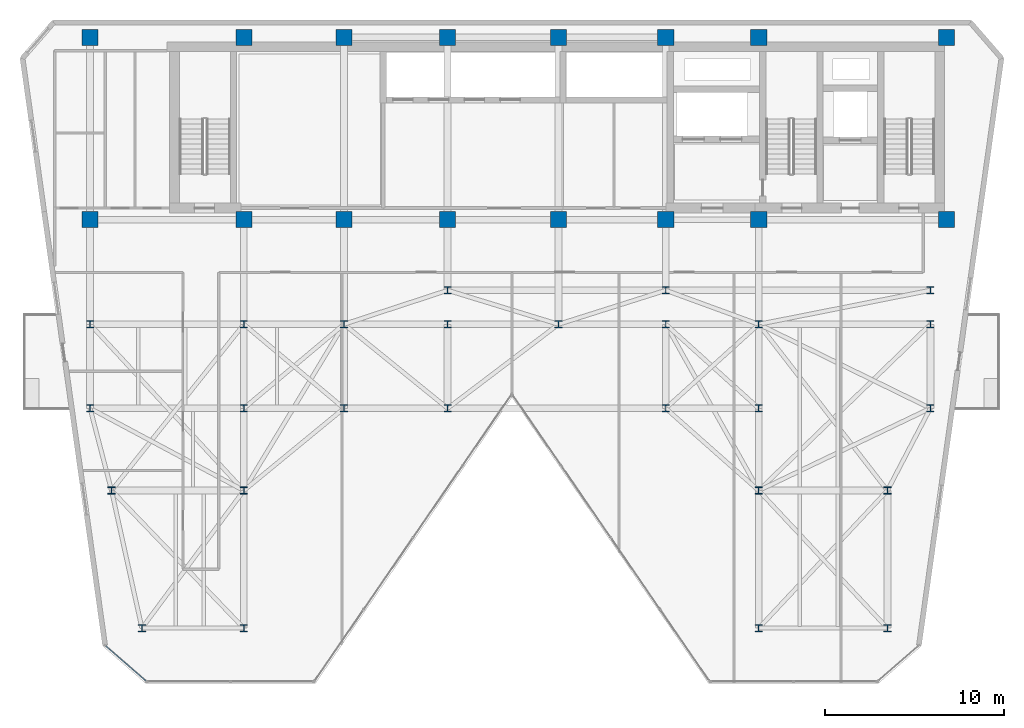
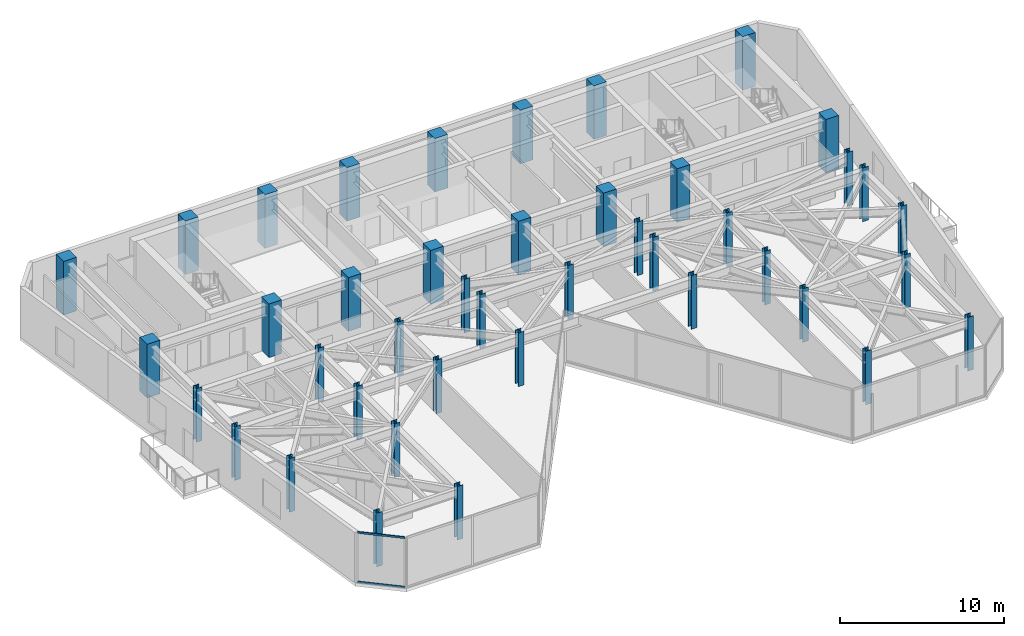
# One storey, part 1 of 21: 42 columns, 2 members, 1 element without a shape of its own.
"""IFC4 building model written with IfcOpenShell, lengths in metres."""

from ifc_helpers import new_model, si_unit, direction, frame, origin, origin_2d, place, context, subcontext, project, spatial, rectangle, hollow_rectangle, i_section, extrude, material, layer, layer_set, material_profile, profile_set, type_object, element, aggregate, save


model = new_model("IFC4")

# Units and contexts
model_context = context("Model", 3, precision=1e-05, world=origin(), true_north=direction((0.0, 1.0)))
body_context = subcontext(model_context, "Body", "Model", "MODEL_VIEW")
ifc_project = project(units=[si_unit("LENGTHUNIT", "METRE"), si_unit("AREAUNIT", "SQUARE_METRE"), si_unit("VOLUMEUNIT", "CUBIC_METRE"), si_unit("PLANEANGLEUNIT", "RADIAN"), si_unit("MASSUNIT", "GRAM", prefix="KILO")], contexts=[model_context])

# Site, building, storey
site_placement = place(None, origin())
site = spatial("IfcSite", under=ifc_project, at=site_placement, CompositionType="ELEMENT")
building_placement = place(site_placement, origin())
building = spatial("IfcBuilding", under=site, at=building_placement, Name="Kravanh Interchange Tower", CompositionType="ELEMENT")
storey_placement = place(building_placement, frame((0.0, 0.0, 216.5)))
storey = spatial("IfcBuildingStorey", under=building, at=storey_placement, Name="L52", CompositionType="ELEMENT", Elevation=216.5)

# Columns
ifc_material_1 = material(Name="Concrete C60/75", Category="concrete")
ifc_material_profile_1 = material_profile(ifc_material_1, rectangle(XDim=0.89990234375, YDim=0.89990234375, at=origin_2d()), Name="RC900X900")
ifc_profile_set_1 = profile_set([ifc_material_profile_1], Name="Concrete C60/75")
column_type_1 = type_object("IfcColumnType", Name="Column RC900X900 Concrete C60/75", PredefinedType="COLUMN", material=ifc_profile_set_1)
for number, where, z_axis, x_axis, name in (
    (1, (66.5, 47.550048828125, 0.0), (0.0, 0.0, 1.0), (1.0, 0.0, 0.0), "L52 Column CS01"),
    (2, (56.0, 47.550048828125, 0.0), (0.0, 0.0, 1.0), (1.0, 0.0, 0.0), "L52 Column CS02"),
    (3, (66.5, 37.35009765625, 0.0), (0.0, 0.0, 1.0), (1.0, 0.0, 0.0), "L52 Column CS03"),
    (4, (56.0, 37.35009765625, 0.0), (0.0, 0.0, 1.0), (1.0, 0.0, 0.0), "L52 Column CS04"),
    (5, (50.800048828125, 47.550048828125, 0.0), (0.0, 0.0, 1.0), (1.0, 0.0, 0.0), "L52 Column CS05"),
    (6, (50.800048828125, 37.35009765625, 0.0), (0.0, 0.0, 1.0), (1.0, 0.0, 0.0), "L52 Column CS06"),
    (7, (44.800048828125, 37.35009765625, 0.0), (0.0, 0.0, 1.0), (1.0, 0.0, 0.0), "L52 Column CS07"),
    (8, (44.800048828125, 47.550048828125, 0.0), (0.0, 0.0, 1.0), (1.0, 0.0, 0.0), "L52 Column CS08"),
    (9, (38.60009765625, 37.35009765625, 0.0), (0.0, 0.0, 1.0), (1.0, 0.0, 0.0), "L52 Column CS09"),
    (10, (38.60009765625, 47.550048828125, 0.0), (0.0, 0.0, 1.0), (1.0, 0.0, 0.0), "L52 Column CS10"),
    (11, (32.800048828125, 37.35009765625, 0.0), (0.0, 0.0, 1.0), (1.0, 0.0, 0.0), "L52 Column CS11"),
    (12, (32.800048828125, 47.550048828125, 0.0), (0.0, 0.0, 1.0), (1.0, 0.0, 0.0), "L52 Column CS12"),
    (13, (27.199951171875, 37.35009765625, 0.0), (0.0, 0.0, 1.0), (1.0, 0.0, 0.0), "L52 Column CS13"),
    (14, (27.199951171875, 47.550048828125, 0.0), (0.0, 0.0, 1.0), (1.0, 0.0, 0.0), "L52 Column CS14"),
    (15, (18.60009765625, 37.35009765625, 0.0), (0.0, 0.0, 1.0), (1.0, 0.0, 0.0), "L52 Column CS17"),
    (16, (18.60009765625, 47.550048828125, 0.0), (0.0, 0.0, 1.0), (1.0, 0.0, 0.0), "L52 Column CS18"),
):
    element("IfcColumn", number, at=place(storey_placement, frame(where, z_axis=z_axis, x_axis=x_axis)), inside=storey, type_object=column_type_1, Name=name, PredefinedType="COLUMN", context=body_context, shape_type="SweptSolid", body=[
        extrude(rectangle(XDim=0.89990234375, YDim=0.89990234375, at=origin_2d()), origin(), (0.0, 0.0, 1.0), 4.0),
    ])
ifc_material_2 = material(Name="Structural Steel S355", Category="steel")
ifc_material_profile_2 = material_profile(ifc_material_2, i_section(OverallWidth=0.40087890625, OverallDepth=0.39892578125, WebThickness=0.02490234375, FlangeThickness=0.03955078125, FilletRadius=0.030029296875, at=origin_2d()), Name="W14X211")
ifc_profile_set_2 = profile_set([ifc_material_profile_2], Name="Structural Steel S355")
column_type_2 = type_object("IfcColumnType", Name="Column W14X211 Structural Steel S355", PredefinedType="COLUMN", material=ifc_profile_set_2)
for number, where, z_axis, x_axis, name in (
    (17, (21.5, 14.5, 0.0), (0.0, 0.0, 1.0), (1.0, 0.0, 0.0), "L52 Column CZ3_1"),
    (18, (18.60009765625, 26.800048828125, 0.0), (0.0, 0.0, 1.0), (1.0, 0.0, 0.0), "L52 Column CZ3_11"),
    (19, (27.199951171875, 26.800048828125, 0.0), (0.0, 0.0, 1.0), (1.0, 0.0, 0.0), "L52 Column CZ3_12"),
    (20, (32.800048828125, 26.800048828125, 0.0), (0.0, 0.0, 1.0), (1.0, 0.0, 0.0), "L52 Column CZ3_13"),
    (21, (38.60009765625, 26.800048828125, 0.0), (0.0, 0.0, 1.0), (1.0, 0.0, 0.0), "L52 Column CZ3_13B"),
    (22, (50.800048828125, 26.800048828125, 0.0), (0.0, 0.0, 1.0), (1.0, 0.0, 0.0), "L52 Column CZ3_14"),
    (23, (56.0, 26.800048828125, 0.0), (0.0, 0.0, 1.0), (1.0, 0.0, 0.0), "L52 Column CZ3_15"),
    (24, (65.60009765625, 26.800048828125, 0.0), (0.0, 0.0, 1.0), (1.0, 0.0, 0.0), "L52 Column CZ3_16"),
    (25, (18.60009765625, 31.5, 0.0), (0.0, 0.0, 1.0), (1.0, 0.0, 0.0), "L52 Column CZ3_17"),
    (26, (27.199951171875, 31.5, 0.0), (0.0, 0.0, 1.0), (1.0, 0.0, 0.0), "L52 Column CZ3_18"),
    (27, (32.800048828125, 31.5, 0.0), (0.0, 0.0, 1.0), (1.0, 0.0, 0.0), "L52 Column CZ3_19"),
    (28, (27.199951171875, 14.5, 0.0), (0.0, 0.0, 1.0), (1.0, 0.0, 0.0), "L52 Column CZ3_2"),
    (29, (38.60009765625, 31.5, 0.0), (0.0, 0.0, 1.0), (1.0, 0.0, 0.0), "L52 Column CZ3_20"),
    (30, (44.800048828125, 31.5, 0.0), (0.0, 0.0, 1.0), (1.0, 0.0, 0.0), "L52 Column CZ3_21"),
    (31, (50.800048828125, 31.5, 0.0), (0.0, 0.0, 1.0), (1.0, 0.0, 0.0), "L52 Column CZ3_22"),
    (32, (56.0, 31.5, 0.0), (0.0, 0.0, 1.0), (1.0, 0.0, 0.0), "L52 Column CZ3_23"),
    (33, (65.60009765625, 31.5, 0.0), (0.0, 0.0, 1.0), (1.0, 0.0, 0.0), "L52 Column CZ3_24"),
    (34, (56.0, 14.5, 0.0), (0.0, 0.0, 1.0), (1.0, 0.0, 0.0), "L52 Column CZ3_3"),
    (35, (63.199951171875, 14.5, 0.0), (0.0, 0.0, 1.0), (1.0, 0.0, 0.0), "L52 Column CZ3_4"),
    (36, (19.800048828125, 22.199951171875, 0.0), (0.0, 0.0, 1.0), (1.0, 0.0, 0.0), "L52 Column CZ3_5"),
    (37, (27.199951171875, 22.199951171875, 0.0), (0.0, 0.0, 1.0), (1.0, 0.0, 0.0), "L52 Column CZ3_6"),
    (38, (56.0, 22.199951171875, 0.0), (0.0, 0.0, 1.0), (1.0, 0.0, 0.0), "L52 Column CZ3_8"),
    (39, (63.199951171875, 22.199951171875, 0.0), (0.0, 0.0, 1.0), (1.0, 0.0, 0.0), "L52 Column CZ3_9"),
    (40, (38.60009765625, 33.39990234375, 0.0), (0.0, 0.0, 1.0), (1.0, 0.0, 0.0), "L52 Column CZ3_M1"),
    (41, (50.800048828125, 33.39990234375, 0.0), (0.0, 0.0, 1.0), (1.0, 0.0, 0.0), "L52 Column CZ3_M2"),
    (42, (65.60009765625, 33.39990234375, 0.0), (0.0, 0.0, 1.0), (1.0, 0.0, 0.0), "L52 Column CZ3_M3"),
):
    element("IfcColumn", number, at=place(storey_placement, frame(where, z_axis=z_axis, x_axis=x_axis)), inside=storey, type_object=column_type_2, Name=name, PredefinedType="COLUMN", context=body_context, shape_type="SweptSolid", body=[
        extrude(i_section(OverallWidth=0.40087890625, OverallDepth=0.39892578125, WebThickness=0.02490234375, FlangeThickness=0.03955078125, FilletRadius=0.030029296875, at=origin_2d()), origin(), (0.0, 0.0, 1.0), 4.0),
    ])

# Curtain wall, members
ifc_material_3 = material(Name="Anodised Bronze Aluminium", Category="aluminium")
ifc_layer = layer(ifc_material_3, 0.179931640625)
ifc_layer_set = layer_set([ifc_layer], Name="Unitised Curtain Wall System CW-Z3 Upper Office")
curtain_wall_type = type_object("IfcCurtainWallType", Name="Unitised Curtain Wall System CW-Z3 Upper Office", PredefinedType="NOTDEFINED", material=ifc_layer_set)
curtain_wall_placement = place(storey_placement, origin())
curtain_wall = element("IfcCurtainWall", 43, at=curtain_wall_placement, inside=storey, type_object=curtain_wall_type, Name="L52 Unitised Curtain Wall CW-L52-06", PredefinedType="NOTDEFINED")
ifc_material_4 = material(Name="Anodised Bronze Aluminium", Category="aluminium")
ifc_material_profile_3 = material_profile(ifc_material_4, hollow_rectangle(XDim=0.06005859375, YDim=0.139892578125, WallThickness=0.00390625, at=origin_2d()), Name="ALU60X140X4")
ifc_profile_set_3 = profile_set([ifc_material_profile_3], Name="Anodised Bronze Aluminium")
member_type = type_object("IfcMemberType", Name="Curtain Wall Transom ALU60X140X4 Bronze", PredefinedType="USERDEFINED", material=ifc_profile_set_3)
member_1_placement = place(storey_placement, frame((21.713623046875, 11.559326171875, 0.030029296875), z_axis=(-0.754708504141, 0.656060266879, 0.0), x_axis=(-0.656060266879, -0.754708504141, 0.0)))
member_1 = element("IfcMember", 44, at=member_1_placement, type_object=member_type, Name="CW-Z3 transom 1.1", ObjectType="TRANSOM", PredefinedType="USERDEFINED", context=body_context, shape_type="SweptSolid", body=[
    extrude(hollow_rectangle(XDim=0.06005859375, YDim=0.139892578125, WallThickness=0.00390625, at=origin_2d()), origin(), (0.0, 0.0, 1.0), 2.9599609375),
])
member_2_placement = place(storey_placement, frame((21.713623046875, 11.559326171875, 3.715087890625), z_axis=(-0.754708504141, 0.656060266879, 0.0), x_axis=(-0.656060266879, -0.754708504141, 0.0)))
member_2 = element("IfcMember", 45, at=member_2_placement, type_object=member_type, Name="CW-Z3 transom 1.2", ObjectType="TRANSOM", PredefinedType="USERDEFINED", context=body_context, shape_type="SweptSolid", body=[
    extrude(hollow_rectangle(XDim=0.06005859375, YDim=0.139892578125, WallThickness=0.00390625, at=origin_2d()), origin(), (0.0, 0.0, 1.0), 2.9599609375),
])
aggregate(curtain_wall, [member_1, member_2])

save(model, "model.ifc")
